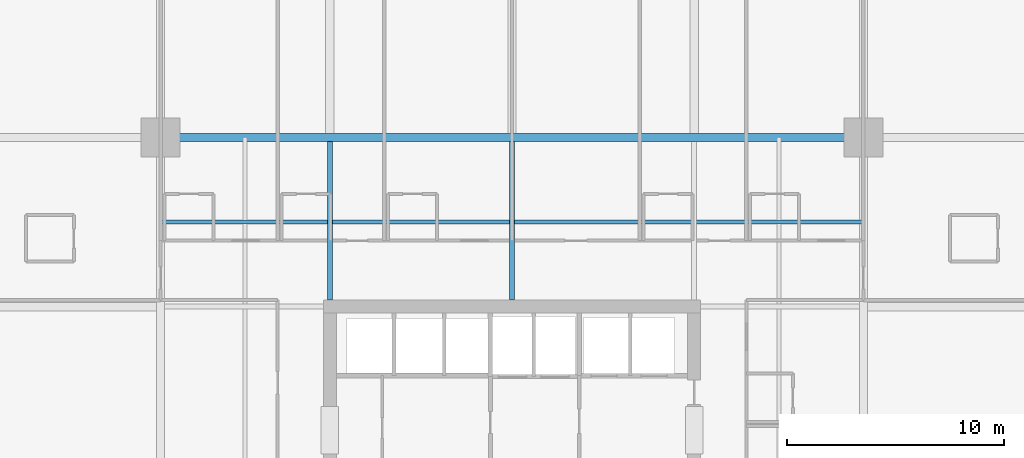
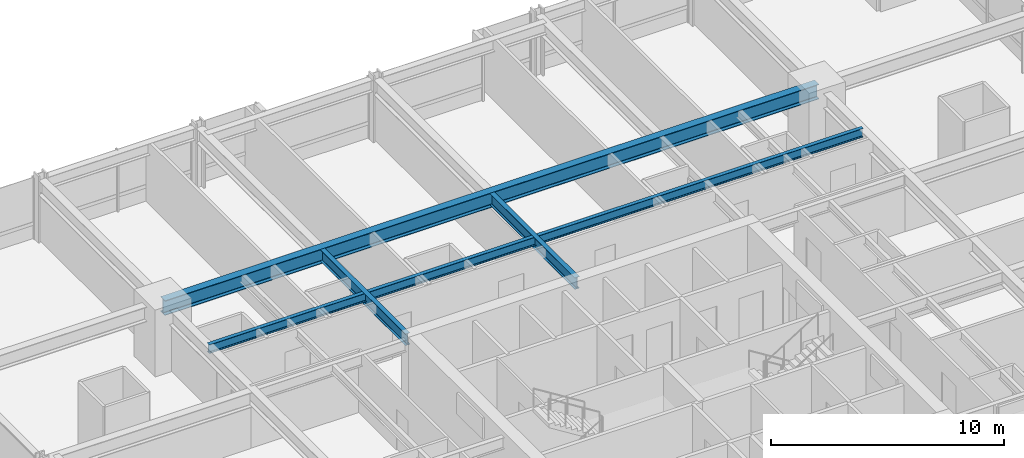
# One storey, part 20 of 38: 4 beams.
"""IFC4 building model written with IfcOpenShell, lengths in metres."""

import ifcopenshell
import ifcopenshell.guid

model = None  # the IFC model being written
_history = None  # IfcOwnerHistory: only IFC2X3 demands one
_inside = {}  # id of a spatial element -> (the spatial element, [elements in it])
_under = {}  # id of a project, library or spatial element -> (it, [spatial elements below it])
_declared = {}  # id of a project -> (the project, [libraries it declares])
_typed = {}  # id of a type object -> (the type object, [elements of that type])
_made_of = {}  # id of a material, layer set ... -> (it, [elements and type objects made of it])


def new_model(schema):
    """Start an empty IFC model of exactly this schema.

    Asked for "IFC4X3", IfcOpenShell would pick the latest addendum, in which some entities
    have other attributes; the version numbers below select the first issue.
    IFC2X3 requires an IfcOwnerHistory on every rooted entity: one is made here for all.
    """
    global model, _history
    if schema == "IFC4X3":
        model = ifcopenshell.file(schema_version=(4, 3, 0, 0))
    else:
        model = ifcopenshell.file(schema=schema)
    _inside.clear()
    _under.clear()
    _declared.clear()
    _typed.clear()
    _made_of.clear()
    _history = None
    if model.schema == "IFC2X3":
        org = make("IfcOrganization", Name="unknown")
        user = make(
            "IfcPersonAndOrganization",
            ThePerson=make("IfcPerson", FamilyName="unknown"),
            TheOrganization=org,
        )
        app = make(
            "IfcApplication",
            ApplicationDeveloper=org,
            Version="unknown",
            ApplicationFullName="unknown",
            ApplicationIdentifier="unknown",
        )
        _history = make(
            "IfcOwnerHistory",
            OwningUser=user,
            OwningApplication=app,
            ChangeAction="ADDED",
            CreationDate=0,
        )
    return model


def make(cls, **values):
    """One entity of the class cls with the attributes given. An attribute that is None is left unset."""
    return model.create_entity(
        cls, **{name: value for name, value in values.items() if value is not None}
    )


def rooted(cls, **values):
    """An entity with a GlobalId (a new one), such as an element, a storey or a relation."""
    return make(cls, GlobalId=ifcopenshell.guid.new(), OwnerHistory=_history, **values)


def si_unit(unit_type, name, prefix=None):
    """IfcSIUnit, for example si_unit("LENGTHUNIT", "METRE", prefix="MILLI")."""
    return make("IfcSIUnit", UnitType=unit_type, Prefix=prefix, Name=name)


def assignment(units):
    """IfcUnitAssignment: the units of a project."""
    return None if units is None else make("IfcUnitAssignment", Units=units)


def point(xyz):
    """IfcCartesianPoint."""
    return None if xyz is None else make("IfcCartesianPoint", Coordinates=xyz)


def direction(xyz):
    """IfcDirection."""
    return None if xyz is None else make("IfcDirection", DirectionRatios=xyz)


def frame(location, z_axis=None, x_axis=None):
    """IfcAxis2Placement3D, a coordinate frame: its origin and axes. An axis left out is left unset."""
    return make(
        "IfcAxis2Placement3D",
        Location=point(location),
        Axis=direction(z_axis),
        RefDirection=direction(x_axis),
    )


def frame_2d(location, x_axis=None):
    """IfcAxis2Placement2D, a coordinate frame in the plane: its origin and x axis."""
    return make(
        "IfcAxis2Placement2D", Location=point(location), RefDirection=direction(x_axis)
    )


def origin():
    """The frame at (0, 0, 0) with its axes left unset."""
    return frame((0.0, 0.0, 0.0))


def origin_2d():
    """The frame at (0, 0) in the plane with its x axis left unset."""
    return frame_2d((0.0, 0.0))


def place(relative_to, where):
    """IfcLocalPlacement: puts the frame where relative to a parent placement (None: the world)."""
    return make(
        "IfcLocalPlacement", PlacementRelTo=relative_to, RelativePlacement=where
    )


def context(
    kind, dimensions, precision=None, world=None, true_north=None, identifier=None
):
    """IfcGeometricRepresentationContext, for example the 3D "Model" context."""
    return make(
        "IfcGeometricRepresentationContext",
        ContextIdentifier=identifier,
        ContextType=kind,
        CoordinateSpaceDimension=dimensions,
        Precision=precision,
        WorldCoordinateSystem=world,
        TrueNorth=true_north,
    )


def subcontext(parent, identifier, kind, view, scale=None):
    """IfcGeometricRepresentationSubContext, for example "Body" below "Model"."""
    return make(
        "IfcGeometricRepresentationSubContext",
        ContextIdentifier=identifier,
        ContextType=kind,
        ParentContext=parent,
        TargetScale=scale,
        TargetView=view,
    )


def project(units=None, contexts=None):
    """IfcProject with its units and contexts."""
    return rooted(
        "IfcProject",
        Name="project",
        RepresentationContexts=contexts,
        UnitsInContext=assignment(units),
    )


def spatial(cls, under=None, at=None, **own):
    """A site, building, storey or space (cls), placed at a placement, below another one or the project."""
    s = rooted(cls, ObjectPlacement=at, **own)
    if under is not None:
        _under.setdefault(under.id(), (under, []))[1].append(s)
    return s


def profile(cls, at=None, kind="AREA", **sizes):
    """A parametric profile (cls). Its sizes go by their IFC names, for example OverallWidth=200.0."""
    return make(cls, ProfileType=kind, Position=at, **sizes)


def i_section(**sizes):
    """IfcIShapeProfileDef."""
    return profile("IfcIShapeProfileDef", **sizes)


def extrude(swept, where, along, depth):
    """IfcExtrudedAreaSolid: the profile swept, set in the frame where, extruded along a direction by depth."""
    return make(
        "IfcExtrudedAreaSolid",
        SweptArea=swept,
        Position=where,
        ExtrudedDirection=direction(along),
        Depth=depth,
    )


def shape(context_of_items, identifier, shape_type, items):
    """IfcShapeRepresentation: the items that make up one representation, for example the "Body"."""
    return make(
        "IfcShapeRepresentation",
        ContextOfItems=context_of_items,
        RepresentationIdentifier=identifier,
        RepresentationType=shape_type,
        Items=items,
    )


def material(Name=None, Category=None):
    """IfcMaterial."""
    return make("IfcMaterial", Name=Name, Category=Category)


def material_profile(
    of_material, cross_section, Name=None, Category=None, Priority=None
):
    """IfcMaterialProfile: a cross section and its material."""
    return make(
        "IfcMaterialProfile",
        Name=Name,
        Material=of_material,
        Profile=cross_section,
        Priority=Priority,
        Category=Category,
    )


def profile_set(profiles, Name=None, composite=None):
    """IfcMaterialProfileSet."""
    return make(
        "IfcMaterialProfileSet",
        Name=Name,
        MaterialProfiles=profiles,
        CompositeProfile=composite,
    )


def made_of(thing, what):
    """Note that an element or type object is made of a material, layer set ...; save() writes the relation."""
    if what is not None:
        _made_of.setdefault(what.id(), (what, []))[1].append(thing)
    return thing


def type_object(cls, material=None, **own):
    """A type object (cls), such as IfcWallType, which elements share."""
    return made_of(rooted(cls, **own), material)


def element(
    cls,
    number,
    at=None,
    inside=None,
    cuts=None,
    type_object=None,
    material=None,
    context=None,
    identifier="Body",
    shape_type=None,
    held_by="IfcProductDefinitionShape",
    body=None,
    shapes=None,
    **own,
):
    """One element of the class cls, such as IfcWall. Its Tag is "e" and its number.

    at: its placement. inside: the storey or other place that contains it. cuts: it is an
    opening in that element (IfcRelVoidsElement). A single representation is given by context,
    identifier, shape_type and body (its items); several are given by shapes. held_by: the class
    of the entity that holds the representations. save() writes the other relations.
    """
    e = rooted(cls, Tag="e%d" % number, ObjectPlacement=at, **own)
    if body is not None:
        shapes = [shape(context, identifier, shape_type, body)]
    if shapes is not None:
        e.Representation = make(held_by, Representations=shapes)
    if inside is not None:
        _inside.setdefault(inside.id(), (inside, []))[1].append(e)
    if cuts is not None:
        rooted(
            "IfcRelVoidsElement", RelatingBuildingElement=cuts, RelatedOpeningElement=e
        )
    if type_object is not None:
        _typed.setdefault(type_object.id(), (type_object, []))[1].append(e)
    return made_of(e, material)


def aggregate(whole, parts):
    """IfcRelAggregates: a whole, such as a stair, and the parts it consists of."""
    return rooted("IfcRelAggregates", RelatingObject=whole, RelatedObjects=parts)


def save(model, path):
    """Write the relations noted so far, then the file.

    IfcRelAggregates (storeys below a building ...), IfcRelContainedInSpatialStructure (elements
    in a storey), IfcRelDefinesByType, IfcRelAssociatesMaterial and IfcRelDeclares: one each for
    every whole, place, type object, material and project.
    """
    for whole, parts in _under.values():
        aggregate(whole, parts)
    for where, things in _inside.values():
        rooted(
            "IfcRelContainedInSpatialStructure",
            RelatedElements=things,
            RelatingStructure=where,
        )
    for kind, things in _typed.values():
        rooted("IfcRelDefinesByType", RelatedObjects=things, RelatingType=kind)
    for what, things in _made_of.values():
        rooted("IfcRelAssociatesMaterial", RelatedObjects=things, RelatingMaterial=what)
    for by, libraries in _declared.values():
        rooted("IfcRelDeclares", RelatingContext=by, RelatedDefinitions=libraries)
    model.write(path)


model = new_model("IFC4")

# Units and contexts
model_context = context("Model", 3, precision=1e-05, world=origin(), true_north=direction((0.0, 1.0)))
body_context = subcontext(model_context, "Body", "Model", "MODEL_VIEW")
ifc_project = project(units=[si_unit("LENGTHUNIT", "METRE"), si_unit("AREAUNIT", "SQUARE_METRE"), si_unit("VOLUMEUNIT", "CUBIC_METRE"), si_unit("PLANEANGLEUNIT", "RADIAN"), si_unit("MASSUNIT", "GRAM", prefix="KILO")], contexts=[model_context])

# Site, building, storey
site_placement = place(None, origin())
site = spatial("IfcSite", under=ifc_project, at=site_placement, CompositionType="ELEMENT")
building_placement = place(site_placement, origin())
building = spatial("IfcBuilding", under=site, at=building_placement, Name="Drelvath Grand Hotel", CompositionType="ELEMENT")
storey_placement = place(building_placement, frame((0.0, 0.0, 68.199951171875)))
storey = spatial("IfcBuildingStorey", under=building, at=storey_placement, Name="L16", CompositionType="ELEMENT", Elevation=68.199951171875)

# Beams
ifc_material = material(Name="Steel ASTM A992 Gr 50", Category="steel")
ifc_material_profile_1 = material_profile(ifc_material, i_section(OverallWidth=0.19140625, OverallDepth=0.4599609375, WebThickness=0.010009765625, FlangeThickness=0.01611328125, FilletRadius=0.01611328125, at=origin_2d()), Name="W18X55")
ifc_profile_set_1 = profile_set([ifc_material_profile_1], Name="Steel ASTM A992 Gr 50")
beam_type_1 = type_object("IfcBeamType", Name="Composite Floor Joist W18X55", PredefinedType="JOIST", material=ifc_profile_set_1)
beam_1_placement = place(storey_placement, frame((-16.199951171875, 39.300048828125, 3.010009765625), z_axis=(1.0, 0.0, 0.0), x_axis=(0.0, 1.0, 0.0)))
element("IfcBeam", 1, at=beam_1_placement, inside=storey, type_object=beam_type_1, Name="L16 Floor Joist J2", PredefinedType="JOIST", context=body_context, shape_type="SweptSolid", body=[
    extrude(i_section(OverallWidth=0.19140625, OverallDepth=0.4599609375, WebThickness=0.010009765625, FlangeThickness=0.01611328125, FilletRadius=0.01611328125, at=origin_2d()), origin(), (0.0, 0.0, 1.0), 32.39990234375),
])
ifc_material_profile_2 = material_profile(ifc_material, i_section(OverallWidth=0.228271484375, OverallDepth=0.607666015625, WebThickness=0.01123046875, FlangeThickness=0.017333984375, FilletRadius=0.02001953125, at=origin_2d()), Name="W24X76")
ifc_profile_set_2 = profile_set([ifc_material_profile_2], Name="Steel ASTM A992 Gr 50")
beam_type_2 = type_object("IfcBeamType", Name="Primary Floor Girder W24X76", PredefinedType="BEAM", material=ifc_profile_set_2)
for number, where, z_axis, x_axis, name in (
    (2, (-8.39990234375, 35.699951171875, 2.936279296875), (0.0, 1.0, 0.0), (-1.0, 0.0, 0.0), "L16 North Core Tie 4"),
    (3, (0.0, 35.699951171875, 2.936279296875), (0.0, 1.0, 0.0), (-1.0, 0.0, 0.0), "L16 North Core Tie 5"),
):
    element("IfcBeam", number, at=place(storey_placement, frame(where, z_axis=z_axis, x_axis=x_axis)), inside=storey, type_object=beam_type_2, Name=name, PredefinedType="BEAM", context=body_context, shape_type="SweptSolid", body=[
        extrude(i_section(OverallWidth=0.228271484375, OverallDepth=0.607666015625, WebThickness=0.01123046875, FlangeThickness=0.017333984375, FilletRadius=0.02001953125, at=origin_2d()), origin(), (0.0, 0.0, 1.0), 7.309814453125),
    ])
ifc_material_profile_3 = material_profile(ifc_material, i_section(OverallWidth=0.380615234375, OverallDepth=0.773193359375, WebThickness=0.0166015625, FlangeThickness=0.027099609375, FilletRadius=0.02490234375, at=origin_2d()), Name="W30X173")
ifc_profile_set_3 = profile_set([ifc_material_profile_3], Name="Steel ASTM A992 Gr 50")
beam_type_3 = type_object("IfcBeamType", Name="Primary Floor Girder W30X173", PredefinedType="BEAM", material=ifc_profile_set_3)
beam_2_placement = place(storey_placement, frame((-16.199951171875, 43.199951171875, 2.853515625), z_axis=(1.0, 0.0, 0.0), x_axis=(0.0, 1.0, 0.0)))
element("IfcBeam", 4, at=beam_2_placement, inside=storey, type_object=beam_type_3, Name="L16 Mega Ring Girder North", PredefinedType="BEAM", context=body_context, shape_type="SweptSolid", body=[
    extrude(i_section(OverallWidth=0.380615234375, OverallDepth=0.773193359375, WebThickness=0.0166015625, FlangeThickness=0.027099609375, FilletRadius=0.02490234375, at=origin_2d()), origin(), (0.0, 0.0, 1.0), 32.39990234375),
])

save(model, "model.ifc")
